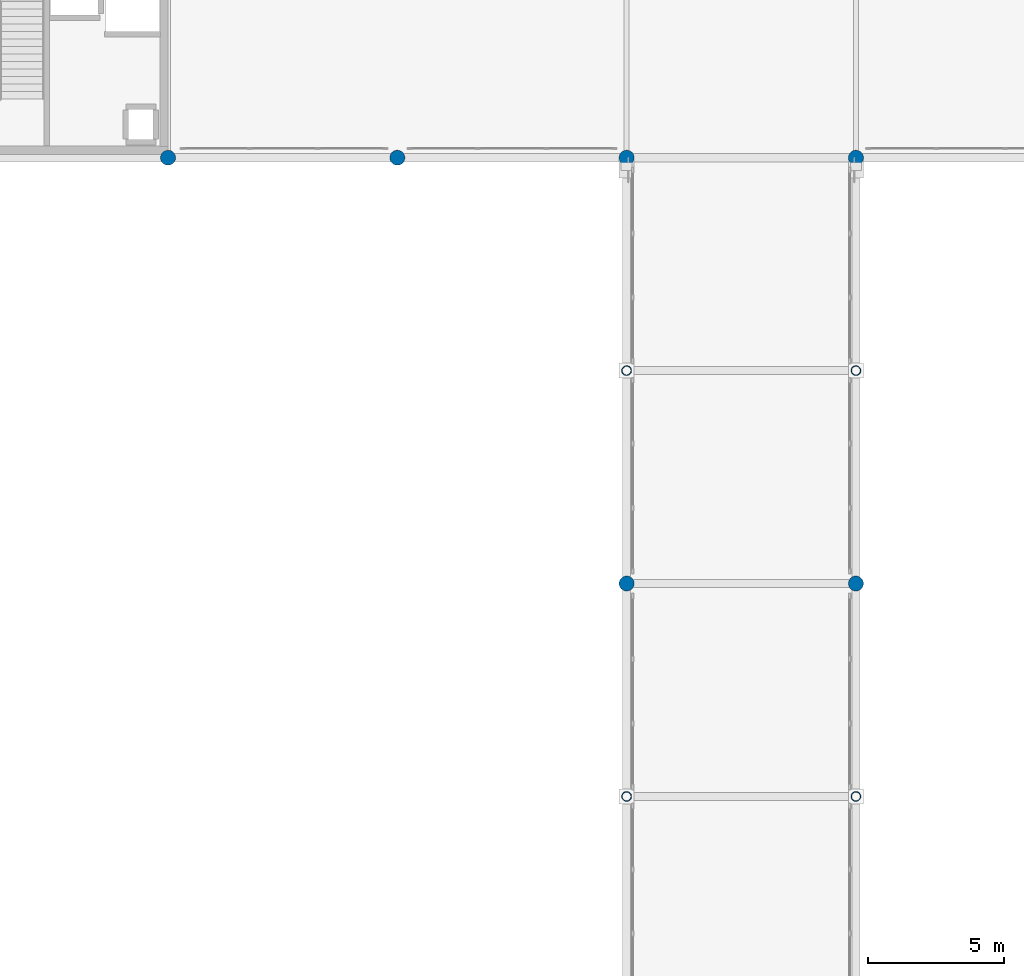
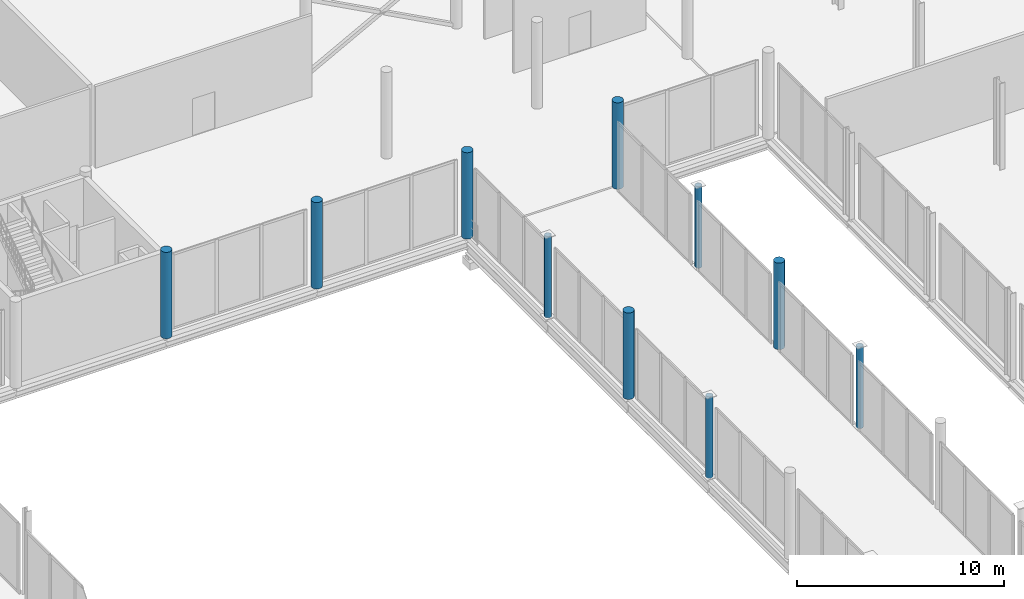
# One storey, part 13 of 105: 10 columns.
"""IFC4 building model written with IfcOpenShell, lengths in metres."""

import ifcopenshell
import ifcopenshell.guid

model = None  # the IFC model being written
_history = None  # IfcOwnerHistory: only IFC2X3 demands one
_inside = {}  # id of a spatial element -> (the spatial element, [elements in it])
_under = {}  # id of a project, library or spatial element -> (it, [spatial elements below it])
_declared = {}  # id of a project -> (the project, [libraries it declares])
_typed = {}  # id of a type object -> (the type object, [elements of that type])
_made_of = {}  # id of a material, layer set ... -> (it, [elements and type objects made of it])


def new_model(schema):
    """Start an empty IFC model of exactly this schema.

    Asked for "IFC4X3", IfcOpenShell would pick the latest addendum, in which some entities
    have other attributes; the version numbers below select the first issue.
    IFC2X3 requires an IfcOwnerHistory on every rooted entity: one is made here for all.
    """
    global model, _history
    if schema == "IFC4X3":
        model = ifcopenshell.file(schema_version=(4, 3, 0, 0))
    else:
        model = ifcopenshell.file(schema=schema)
    _inside.clear()
    _under.clear()
    _declared.clear()
    _typed.clear()
    _made_of.clear()
    _history = None
    if model.schema == "IFC2X3":
        org = make("IfcOrganization", Name="unknown")
        user = make(
            "IfcPersonAndOrganization",
            ThePerson=make("IfcPerson", FamilyName="unknown"),
            TheOrganization=org,
        )
        app = make(
            "IfcApplication",
            ApplicationDeveloper=org,
            Version="unknown",
            ApplicationFullName="unknown",
            ApplicationIdentifier="unknown",
        )
        _history = make(
            "IfcOwnerHistory",
            OwningUser=user,
            OwningApplication=app,
            ChangeAction="ADDED",
            CreationDate=0,
        )
    return model


def make(cls, **values):
    """One entity of the class cls with the attributes given. An attribute that is None is left unset."""
    return model.create_entity(
        cls, **{name: value for name, value in values.items() if value is not None}
    )


def rooted(cls, **values):
    """An entity with a GlobalId (a new one), such as an element, a storey or a relation."""
    return make(cls, GlobalId=ifcopenshell.guid.new(), OwnerHistory=_history, **values)


def si_unit(unit_type, name, prefix=None):
    """IfcSIUnit, for example si_unit("LENGTHUNIT", "METRE", prefix="MILLI")."""
    return make("IfcSIUnit", UnitType=unit_type, Prefix=prefix, Name=name)


def assignment(units):
    """IfcUnitAssignment: the units of a project."""
    return None if units is None else make("IfcUnitAssignment", Units=units)


def point(xyz):
    """IfcCartesianPoint."""
    return None if xyz is None else make("IfcCartesianPoint", Coordinates=xyz)


def direction(xyz):
    """IfcDirection."""
    return None if xyz is None else make("IfcDirection", DirectionRatios=xyz)


def frame(location, z_axis=None, x_axis=None):
    """IfcAxis2Placement3D, a coordinate frame: its origin and axes. An axis left out is left unset."""
    return make(
        "IfcAxis2Placement3D",
        Location=point(location),
        Axis=direction(z_axis),
        RefDirection=direction(x_axis),
    )


def frame_2d(location, x_axis=None):
    """IfcAxis2Placement2D, a coordinate frame in the plane: its origin and x axis."""
    return make(
        "IfcAxis2Placement2D", Location=point(location), RefDirection=direction(x_axis)
    )


def origin():
    """The frame at (0, 0, 0) with its axes left unset."""
    return frame((0.0, 0.0, 0.0))


def origin_2d():
    """The frame at (0, 0) in the plane with its x axis left unset."""
    return frame_2d((0.0, 0.0))


def place(relative_to, where):
    """IfcLocalPlacement: puts the frame where relative to a parent placement (None: the world)."""
    return make(
        "IfcLocalPlacement", PlacementRelTo=relative_to, RelativePlacement=where
    )


def context(
    kind, dimensions, precision=None, world=None, true_north=None, identifier=None
):
    """IfcGeometricRepresentationContext, for example the 3D "Model" context."""
    return make(
        "IfcGeometricRepresentationContext",
        ContextIdentifier=identifier,
        ContextType=kind,
        CoordinateSpaceDimension=dimensions,
        Precision=precision,
        WorldCoordinateSystem=world,
        TrueNorth=true_north,
    )


def subcontext(parent, identifier, kind, view, scale=None):
    """IfcGeometricRepresentationSubContext, for example "Body" below "Model"."""
    return make(
        "IfcGeometricRepresentationSubContext",
        ContextIdentifier=identifier,
        ContextType=kind,
        ParentContext=parent,
        TargetScale=scale,
        TargetView=view,
    )


def project(units=None, contexts=None):
    """IfcProject with its units and contexts."""
    return rooted(
        "IfcProject",
        Name="project",
        RepresentationContexts=contexts,
        UnitsInContext=assignment(units),
    )


def spatial(cls, under=None, at=None, **own):
    """A site, building, storey or space (cls), placed at a placement, below another one or the project."""
    s = rooted(cls, ObjectPlacement=at, **own)
    if under is not None:
        _under.setdefault(under.id(), (under, []))[1].append(s)
    return s


def profile(cls, at=None, kind="AREA", **sizes):
    """A parametric profile (cls). Its sizes go by their IFC names, for example OverallWidth=200.0."""
    return make(cls, ProfileType=kind, Position=at, **sizes)


def circle(**sizes):
    """IfcCircleProfileDef."""
    return profile("IfcCircleProfileDef", **sizes)


def hollow_circle(**sizes):
    """IfcCircleHollowProfileDef."""
    return profile("IfcCircleHollowProfileDef", **sizes)


def extrude(swept, where, along, depth):
    """IfcExtrudedAreaSolid: the profile swept, set in the frame where, extruded along a direction by depth."""
    return make(
        "IfcExtrudedAreaSolid",
        SweptArea=swept,
        Position=where,
        ExtrudedDirection=direction(along),
        Depth=depth,
    )


def shape(context_of_items, identifier, shape_type, items):
    """IfcShapeRepresentation: the items that make up one representation, for example the "Body"."""
    return make(
        "IfcShapeRepresentation",
        ContextOfItems=context_of_items,
        RepresentationIdentifier=identifier,
        RepresentationType=shape_type,
        Items=items,
    )


def material(Name=None, Category=None):
    """IfcMaterial."""
    return make("IfcMaterial", Name=Name, Category=Category)


def material_profile(
    of_material, cross_section, Name=None, Category=None, Priority=None
):
    """IfcMaterialProfile: a cross section and its material."""
    return make(
        "IfcMaterialProfile",
        Name=Name,
        Material=of_material,
        Profile=cross_section,
        Priority=Priority,
        Category=Category,
    )


def profile_set(profiles, Name=None, composite=None):
    """IfcMaterialProfileSet."""
    return make(
        "IfcMaterialProfileSet",
        Name=Name,
        MaterialProfiles=profiles,
        CompositeProfile=composite,
    )


def made_of(thing, what):
    """Note that an element or type object is made of a material, layer set ...; save() writes the relation."""
    if what is not None:
        _made_of.setdefault(what.id(), (what, []))[1].append(thing)
    return thing


def type_object(cls, material=None, **own):
    """A type object (cls), such as IfcWallType, which elements share."""
    return made_of(rooted(cls, **own), material)


def element(
    cls,
    number,
    at=None,
    inside=None,
    cuts=None,
    type_object=None,
    material=None,
    context=None,
    identifier="Body",
    shape_type=None,
    held_by="IfcProductDefinitionShape",
    body=None,
    shapes=None,
    **own,
):
    """One element of the class cls, such as IfcWall. Its Tag is "e" and its number.

    at: its placement. inside: the storey or other place that contains it. cuts: it is an
    opening in that element (IfcRelVoidsElement). A single representation is given by context,
    identifier, shape_type and body (its items); several are given by shapes. held_by: the class
    of the entity that holds the representations. save() writes the other relations.
    """
    e = rooted(cls, Tag="e%d" % number, ObjectPlacement=at, **own)
    if body is not None:
        shapes = [shape(context, identifier, shape_type, body)]
    if shapes is not None:
        e.Representation = make(held_by, Representations=shapes)
    if inside is not None:
        _inside.setdefault(inside.id(), (inside, []))[1].append(e)
    if cuts is not None:
        rooted(
            "IfcRelVoidsElement", RelatingBuildingElement=cuts, RelatedOpeningElement=e
        )
    if type_object is not None:
        _typed.setdefault(type_object.id(), (type_object, []))[1].append(e)
    return made_of(e, material)


def aggregate(whole, parts):
    """IfcRelAggregates: a whole, such as a stair, and the parts it consists of."""
    return rooted("IfcRelAggregates", RelatingObject=whole, RelatedObjects=parts)


def save(model, path):
    """Write the relations noted so far, then the file.

    IfcRelAggregates (storeys below a building ...), IfcRelContainedInSpatialStructure (elements
    in a storey), IfcRelDefinesByType, IfcRelAssociatesMaterial and IfcRelDeclares: one each for
    every whole, place, type object, material and project.
    """
    for whole, parts in _under.values():
        aggregate(whole, parts)
    for where, things in _inside.values():
        rooted(
            "IfcRelContainedInSpatialStructure",
            RelatedElements=things,
            RelatingStructure=where,
        )
    for kind, things in _typed.values():
        rooted("IfcRelDefinesByType", RelatedObjects=things, RelatingType=kind)
    for what, things in _made_of.values():
        rooted("IfcRelAssociatesMaterial", RelatedObjects=things, RelatingMaterial=what)
    for by, libraries in _declared.values():
        rooted("IfcRelDeclares", RelatingContext=by, RelatedDefinitions=libraries)
    model.write(path)


model = new_model("IFC4")

# Units and contexts
model_context = context("Model", 3, precision=1e-05, world=origin(), true_north=direction((0.0, 1.0)))
body_context = subcontext(model_context, "Body", "Model", "MODEL_VIEW")
ifc_project = project(units=[si_unit("LENGTHUNIT", "METRE"), si_unit("AREAUNIT", "SQUARE_METRE"), si_unit("VOLUMEUNIT", "CUBIC_METRE"), si_unit("PLANEANGLEUNIT", "RADIAN"), si_unit("MASSUNIT", "GRAM", prefix="KILO")], contexts=[model_context])

# Site, building, storey
site_placement = place(None, origin())
site = spatial("IfcSite", under=ifc_project, at=site_placement, CompositionType="ELEMENT")
building_placement = place(site_placement, origin())
building = spatial("IfcBuilding", under=site, at=building_placement, Name="Nabrawat Pavilion Hospital", CompositionType="ELEMENT")
storey_placement = place(building_placement, frame((0.0, 0.0, 5.10009765625)))
storey = spatial("IfcBuildingStorey", under=building, at=storey_placement, Name="L01", CompositionType="ELEMENT", Elevation=5.10009765625)

# Columns
ifc_material_1 = material(Name="Steel S355", Category="steel")
ifc_material_profile_1 = material_profile(ifc_material_1, hollow_circle(Radius=0.177734375, WallThickness=0.01611328125, at=origin_2d()), Name="CHS 355.6x16")
ifc_profile_set_1 = profile_set([ifc_material_profile_1], Name="Steel S355")
column_type_1 = type_object("IfcColumnType", Name="Courtyard Link Bridge Column CHS 355.6x16", PredefinedType="COLUMN", material=ifc_profile_set_1)
for number, where, z_axis, x_axis, name in (
    (1, (109.199951171875, 62.39990234375, 0.0), (0.0, 0.0, 1.0), (1.0, 0.0, 0.0), "L01 Structural Column G-14-J"),
    (2, (109.199951171875, 78.0, 0.0), (0.0, 0.0, 1.0), (1.0, 0.0, 0.0), "L01 Structural Column G-14-L"),
    (3, (117.60009765625, 62.39990234375, 0.0), (0.0, 0.0, 1.0), (1.0, 0.0, 0.0), "L01 Structural Column G-15-J"),
    (4, (117.60009765625, 78.0, 0.0), (0.0, 0.0, 1.0), (1.0, 0.0, 0.0), "L01 Structural Column G-15-L"),
):
    element("IfcColumn", number, at=place(storey_placement, frame(where, z_axis=z_axis, x_axis=x_axis)), inside=storey, type_object=column_type_1, Name=name, PredefinedType="COLUMN", context=body_context, shape_type="SweptSolid", body=[
        extrude(hollow_circle(Radius=0.177734375, WallThickness=0.01611328125, at=origin_2d()), origin(), (0.0, 0.0, 1.0), 4.809814453125),
    ])
ifc_material_2 = material(Name="Concrete C40/50", Category="concrete")
ifc_material_profile_2 = material_profile(ifc_material_2, circle(Radius=0.27490234375, at=origin_2d()), Name="RC D550")
ifc_profile_set_2 = profile_set([ifc_material_profile_2], Name="Concrete C40/50")
column_type_2 = type_object("IfcColumnType", Name="Diagnostic Circular RC Column D550", PredefinedType="COLUMN", material=ifc_profile_set_2)
for number, where, z_axis, x_axis, name in (
    (5, (92.39990234375, 85.800048828125, 0.0), (0.0, 0.0, 1.0), (1.0, 0.0, 0.0), "L01 Structural Column G-12-M1"),
    (6, (100.800048828125, 85.800048828125, 0.0), (0.0, 0.0, 1.0), (1.0, 0.0, 0.0), "L01 Structural Column G-13-M1"),
    (7, (109.199951171875, 70.199951171875, 0.0), (0.0, 0.0, 1.0), (1.0, 0.0, 0.0), "L01 Structural Column G-14-K"),
    (8, (109.199951171875, 85.800048828125, 0.0), (0.0, 0.0, 1.0), (1.0, 0.0, 0.0), "L01 Structural Column G-14-M1"),
    (9, (117.60009765625, 70.199951171875, 0.0), (0.0, 0.0, 1.0), (1.0, 0.0, 0.0), "L01 Structural Column G-15-K"),
    (10, (117.60009765625, 85.800048828125, 0.0), (0.0, 0.0, 1.0), (1.0, 0.0, 0.0), "L01 Structural Column G-15-M1"),
):
    element("IfcColumn", number, at=place(storey_placement, frame(where, z_axis=z_axis, x_axis=x_axis)), inside=storey, type_object=column_type_2, Name=name, PredefinedType="COLUMN", context=body_context, shape_type="SweptSolid", body=[
        extrude(circle(Radius=0.27490234375, at=origin_2d()), origin(), (0.0, 0.0, 1.0), 5.099853515625),
    ])

save(model, "model.ifc")
